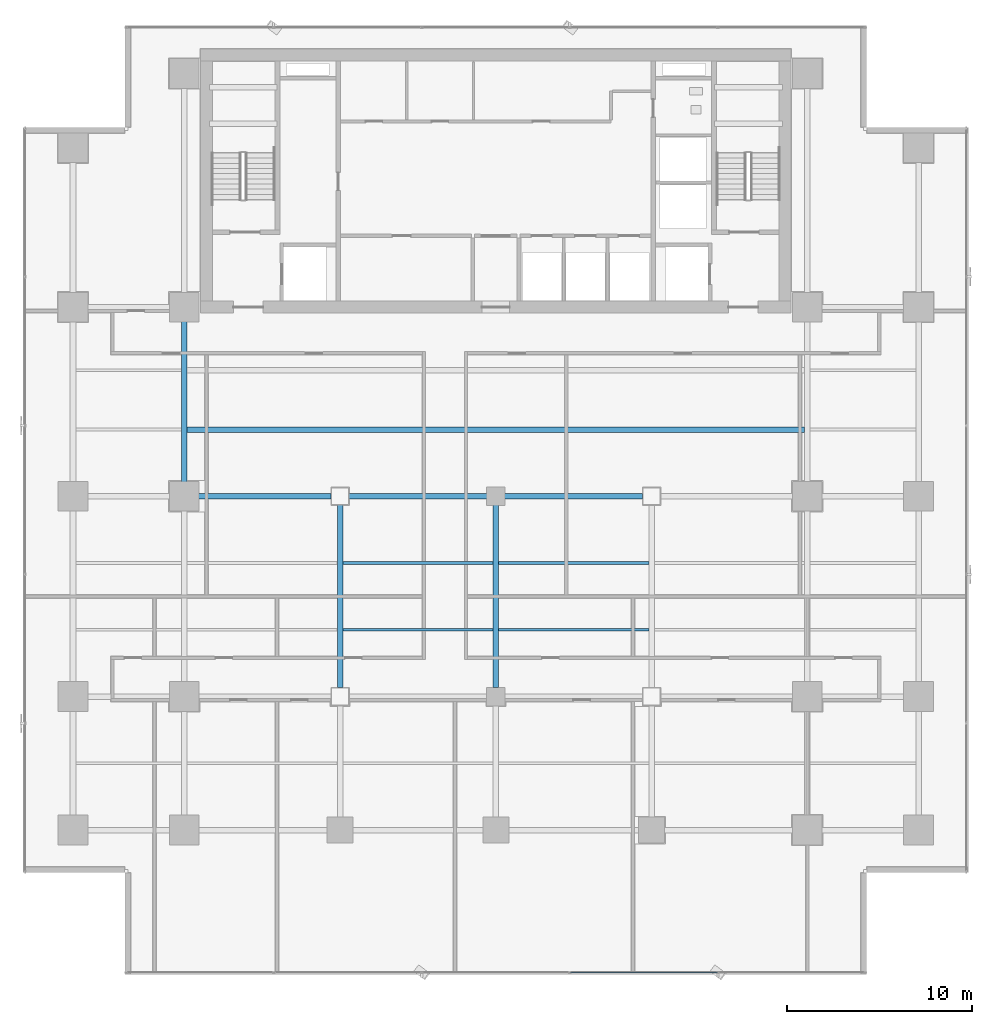
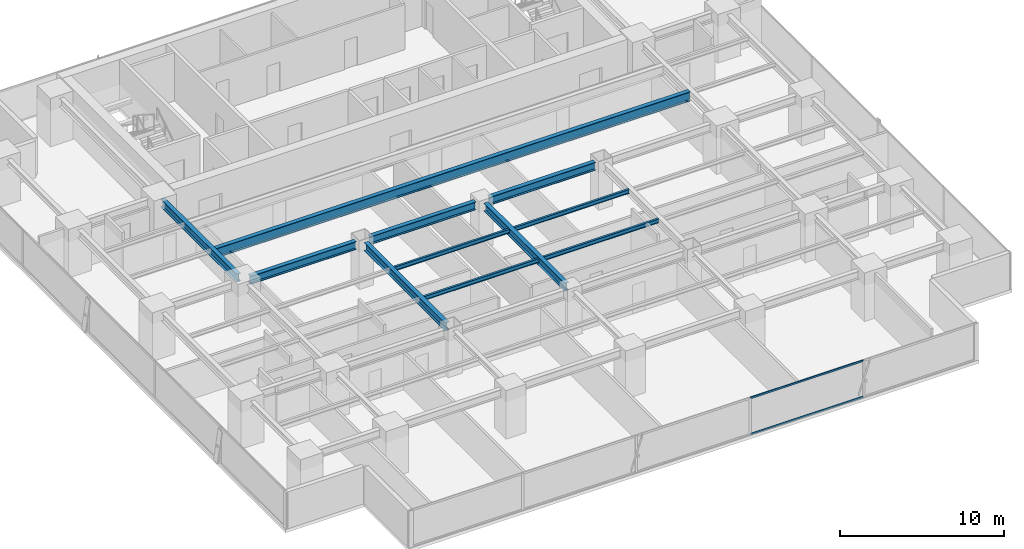
# One storey, part 11 of 35: 11 beams, 2 members, 1 element without a shape of its own.
"""IFC4 building model written with IfcOpenShell, lengths in metres."""

from ifc_helpers import new_model, si_unit, direction, frame, origin, origin_2d, place, context, subcontext, project, spatial, hollow_rectangle, i_section, extrude, source, transform, mapped, material, layer, layer_set, material_profile, profile_set, type_object, element, aggregate, save


model = new_model("IFC4")

# Units and contexts
model_context = context("Model", 3, precision=1e-05, world=origin(), true_north=direction((0.0, 1.0)))
body_context = subcontext(model_context, "Body", "Model", "MODEL_VIEW")
ifc_project = project(units=[si_unit("LENGTHUNIT", "METRE"), si_unit("AREAUNIT", "SQUARE_METRE"), si_unit("VOLUMEUNIT", "CUBIC_METRE"), si_unit("PLANEANGLEUNIT", "RADIAN"), si_unit("MASSUNIT", "GRAM", prefix="KILO")], contexts=[model_context])

# Site, building, storey
site_placement = place(None, origin())
site = spatial("IfcSite", under=ifc_project, at=site_placement, CompositionType="ELEMENT")
building_placement = place(site_placement, origin())
building = spatial("IfcBuilding", under=site, at=building_placement, Name="Sumidabori Civic Tower", CompositionType="ELEMENT")
storey_placement = place(building_placement, frame((0.0, 0.0, 102.800048828125)))
storey = spatial("IfcBuildingStorey", under=building, at=storey_placement, Name="L26", CompositionType="ELEMENT", Elevation=102.800048828125)

# Beams
ifc_material_1 = material(Name="Steel SN490", Category="steel")
ifc_material_profile_1 = material_profile(ifc_material_1, i_section(OverallWidth=0.300048828125, OverallDepth=0.60009765625, WebThickness=0.015380859375, FlangeThickness=0.030029296875, at=origin_2d()), Name="HE 600 B")
ifc_profile_set_1 = profile_set([ifc_material_profile_1], Name="Steel SN490")
beam_type_1 = type_object("IfcBeamType", Name="BM-GIRD-600", PredefinedType="BEAM", material=ifc_profile_set_1)
shared_shape_1 = source(origin(), body_context, "Body", "SweptSolid", [
    extrude(i_section(OverallWidth=0.300048828125, OverallDepth=0.60009765625, WebThickness=0.015380859375, FlangeThickness=0.030029296875, at=origin_2d()), origin(), (0.0, 0.0, 1.0), 7.440185546875),
])
beam_1_placement = place(storey_placement, frame((-16.320068359375, 0.0, 3.06005859375), z_axis=(1.0, 0.0, 0.0), x_axis=(0.0, 1.0, 0.0)))
element("IfcBeam", 1, at=beam_1_placement, inside=storey, type_object=beam_type_1, Name="Primary Girder L26 GX-14", PredefinedType="BEAM", context=body_context, shape_type="MappedRepresentation", body=[
    mapped(shared_shape_1, transform((0.0, 0.0, 0.0), x_axis=(1.0, 0.0, 0.0), y_axis=(0.0, 1.0, 0.0), z_axis=(0.0, 0.0, 1.0), scale=1.0)),
])
shared_shape_2 = source(origin(), body_context, "Body", "SweptSolid", [
    extrude(i_section(OverallWidth=0.300048828125, OverallDepth=0.60009765625, WebThickness=0.015380859375, FlangeThickness=0.030029296875, at=origin_2d()), origin(), (0.0, 0.0, 1.0), 7.43994140625),
])
for number, where, z_axis, x_axis, name in (
    (2, (-7.919921875, 0.0, 3.06005859375), (1.0, 0.0, 0.0), (0.0, 1.0, 0.0), "Primary Girder L26 GX-15"),
    (3, (0.47998046875, 0.0, 3.06005859375), (1.0, 0.0, 0.0), (0.0, 1.0, 0.0), "Primary Girder L26 GX-16"),
):
    element("IfcBeam", number, at=place(storey_placement, frame(where, z_axis=z_axis, x_axis=x_axis)), inside=storey, type_object=beam_type_1, Name=name, PredefinedType="BEAM", context=body_context, shape_type="MappedRepresentation", body=[
        mapped(shared_shape_2, transform((0.0, 0.0, 0.0), x_axis=(1.0, 0.0, 0.0), y_axis=(0.0, 1.0, 0.0), z_axis=(0.0, 0.0, 1.0), scale=1.0)),
    ])
shared_shape_3 = source(origin(), body_context, "Body", "SweptSolid", [
    extrude(i_section(OverallWidth=0.300048828125, OverallDepth=0.60009765625, WebThickness=0.015380859375, FlangeThickness=0.030029296875, at=origin_2d()), origin(), (0.0, 0.0, 1.0), 9.840087890625),
])
for number, where, z_axis, x_axis, name in (
    (4, (-8.39990234375, -10.320068359375, 3.06005859375), (0.0, 1.0, 0.0), (-1.0, 0.0, 0.0), "Primary Girder L26 GY-30"),
    (5, (0.0, -10.320068359375, 3.06005859375), (0.0, 1.0, 0.0), (-1.0, 0.0, 0.0), "Primary Girder L26 GY-32"),
):
    element("IfcBeam", number, at=place(storey_placement, frame(where, z_axis=z_axis, x_axis=x_axis)), inside=storey, type_object=beam_type_1, Name=name, PredefinedType="BEAM", context=body_context, shape_type="MappedRepresentation", body=[
        mapped(shared_shape_3, transform((0.0, 0.0, 0.0), x_axis=(1.0, 0.0, 0.0), y_axis=(0.0, 1.0, 0.0), z_axis=(0.0, 0.0, 1.0), scale=1.0)),
    ])
shared_shape_4 = source(origin(), body_context, "Body", "SweptSolid", [
    extrude(i_section(OverallWidth=0.300048828125, OverallDepth=0.60009765625, WebThickness=0.015380859375, FlangeThickness=0.030029296875, at=origin_2d()), origin(), (0.0, 0.0, 1.0), 9.239990234375),
])
beam_2_placement = place(storey_placement, frame((-16.800048828125, 0.47998046875, 3.06005859375), z_axis=(0.0, 1.0, 0.0), x_axis=(-1.0, 0.0, 0.0)))
element("IfcBeam", 6, at=beam_2_placement, inside=storey, type_object=beam_type_1, Name="Primary Girder L26 GY-27", PredefinedType="BEAM", context=body_context, shape_type="MappedRepresentation", body=[
    mapped(shared_shape_4, transform((0.0, 0.0, 0.0), x_axis=(1.0, 0.0, 0.0), y_axis=(0.0, 1.0, 0.0), z_axis=(0.0, 0.0, 1.0), scale=1.0)),
])
ifc_material_profile_2 = material_profile(ifc_material_1, i_section(OverallWidth=0.300048828125, OverallDepth=0.699951171875, WebThickness=0.01708984375, FlangeThickness=0.031982421875, at=origin_2d()), Name="HE 700 B")
ifc_profile_set_2 = profile_set([ifc_material_profile_2], Name="Steel SN490")
beam_type_2 = type_object("IfcBeamType", Name="BM-GIRD-700", PredefinedType="BEAM", material=ifc_profile_set_2)
shared_shape_5 = source(origin(), body_context, "Body", "SweptSolid", [
    extrude(i_section(OverallWidth=0.300048828125, OverallDepth=0.699951171875, WebThickness=0.01708984375, FlangeThickness=0.031982421875, at=origin_2d()), origin(), (0.0, 0.0, 1.0), 33.2998046875),
])
beam_3_placement = place(storey_placement, frame((-16.64990234375, 3.60009765625, 3.010009765625), z_axis=(1.0, 0.0, 0.0), x_axis=(0.0, 1.0, 0.0)))
element("IfcBeam", 7, at=beam_3_placement, inside=storey, type_object=beam_type_2, Name="North Bay Floor Beam L26 JSTN-53", PredefinedType="BEAM", context=body_context, shape_type="MappedRepresentation", body=[
    mapped(shared_shape_5, transform((0.0, 0.0, 0.0), x_axis=(1.0, 0.0, 0.0), y_axis=(0.0, 1.0, 0.0), z_axis=(0.0, 0.0, 1.0), scale=1.0)),
])
ifc_material_profile_3 = material_profile(ifc_material_1, i_section(OverallWidth=0.14990234375, OverallDepth=0.300048828125, WebThickness=0.007080078125, FlangeThickness=0.0107421875, at=origin_2d()), Name="IPE 300")
ifc_profile_set_3 = profile_set([ifc_material_profile_3], Name="Steel SN490")
beam_type_3 = type_object("IfcBeamType", Name="BM-JST-300", PredefinedType="JOIST", material=ifc_profile_set_3)
shared_shape_6 = source(origin(), body_context, "Body", "SweptSolid", [
    extrude(i_section(OverallWidth=0.14990234375, OverallDepth=0.300048828125, WebThickness=0.007080078125, FlangeThickness=0.0107421875, at=origin_2d()), origin(), (0.0, 0.0, 1.0), 8.10009765625),
])
for number, where, z_axis, x_axis, name in (
    (8, (-8.25, -7.199951171875, 3.2099609375), (1.0, 0.0, 0.0), (0.0, 1.0, 0.0), "South Bay Floor Joist L26 JSTS-60"),
    (9, (0.14990234375, -7.199951171875, 3.2099609375), (1.0, 0.0, 0.0), (0.0, 1.0, 0.0), "South Bay Floor Joist L26 JSTS-61"),
    (10, (-8.25, -3.60009765625, 3.2099609375), (1.0, 0.0, 0.0), (0.0, 1.0, 0.0), "South Bay Floor Joist L26 JSTS-64"),
    (11, (0.14990234375, -3.60009765625, 3.2099609375), (1.0, 0.0, 0.0), (0.0, 1.0, 0.0), "South Bay Floor Joist L26 JSTS-65"),
):
    element("IfcBeam", number, at=place(storey_placement, frame(where, z_axis=z_axis, x_axis=x_axis)), inside=storey, type_object=beam_type_3, Name=name, PredefinedType="JOIST", context=body_context, shape_type="MappedRepresentation", body=[
        mapped(shared_shape_6, transform((0.0, 0.0, 0.0), x_axis=(1.0, 0.0, 0.0), y_axis=(0.0, 1.0, 0.0), z_axis=(0.0, 0.0, 1.0), scale=1.0)),
    ])

# Curtain wall, members
ifc_material_2 = material(Name="Anodised Bronze Aluminium AW-6063-T6", Category="aluminium")
ifc_layer = layer(ifc_material_2, 0.179931640625, Name="Anodised Bronze Aluminium AW-6063-T6")
ifc_layer_set = layer_set([ifc_layer], Name="Anodised Bronze Aluminium AW-6063-T6")
curtain_wall_type = type_object("IfcCurtainWallType", Name="CW-SYS-3", PredefinedType="NOTDEFINED", material=ifc_layer_set)
curtain_wall_placement = place(storey_placement, origin())
curtain_wall = element("IfcCurtainWall", 12, at=curtain_wall_placement, inside=storey, type_object=curtain_wall_type, Name="Curtain Wall CW:L26:R01", PredefinedType="NOTDEFINED")
ifc_material_profile_4 = material_profile(ifc_material_2, hollow_rectangle(XDim=0.06005859375, YDim=0.1298828125, WallThickness=0.0048828125, at=origin_2d()), Name="ALU TRANSOM 130x60")
ifc_profile_set_4 = profile_set([ifc_material_profile_4], Name="Anodised Bronze Aluminium AW-6063-T6")
member_type = type_object("IfcMemberType", Name="CW-TRN-130", PredefinedType="USERDEFINED", material=ifc_profile_set_4)
shared_shape_7 = source(origin(), body_context, "Body", "SweptSolid", [
    extrude(hollow_rectangle(XDim=0.06005859375, YDim=0.1298828125, WallThickness=0.0048828125, at=origin_2d()), origin(), (0.0, 0.0, 1.0), 7.9228515625),
])
member_1_placement = place(storey_placement, frame((4.026611328125, -25.679931640625, 0.030029296875), z_axis=(1.0, 0.0, 0.0), x_axis=(0.0, 1.0, 0.0)))
member_1 = element("IfcMember", 13, at=member_1_placement, type_object=member_type, Name="CW-3 transom 4.1", ObjectType="TRANSOM", PredefinedType="USERDEFINED", context=body_context, shape_type="MappedRepresentation", body=[
    mapped(shared_shape_7, transform((0.0, 0.0, 0.0), x_axis=(1.0, 0.0, 0.0), y_axis=(0.0, 1.0, 0.0), z_axis=(0.0, 0.0, 1.0), scale=1.0)),
])
member_2_placement = place(storey_placement, frame((4.026611328125, -25.679931640625, 2.7099609375), z_axis=(1.0, 0.0, 0.0), x_axis=(0.0, 1.0, 0.0)))
member_2 = element("IfcMember", 14, at=member_2_placement, type_object=member_type, Name="CW-3 transom 4.2", ObjectType="TRANSOM", PredefinedType="USERDEFINED", context=body_context, shape_type="MappedRepresentation", body=[
    mapped(shared_shape_7, transform((0.0, 0.0, 0.0), x_axis=(1.0, 0.0, 0.0), y_axis=(0.0, 1.0, 0.0), z_axis=(0.0, 0.0, 1.0), scale=1.0)),
])
aggregate(curtain_wall, [member_1, member_2])

save(model, "model.ifc")
